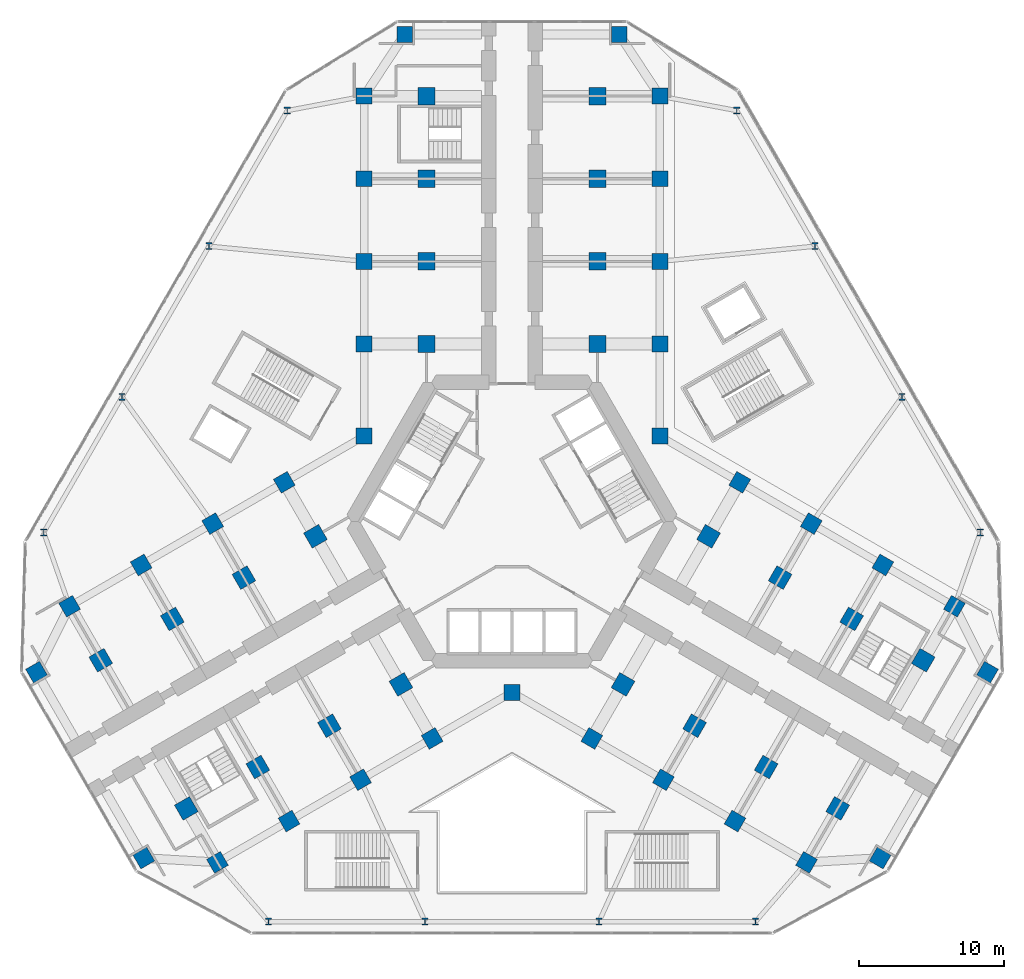
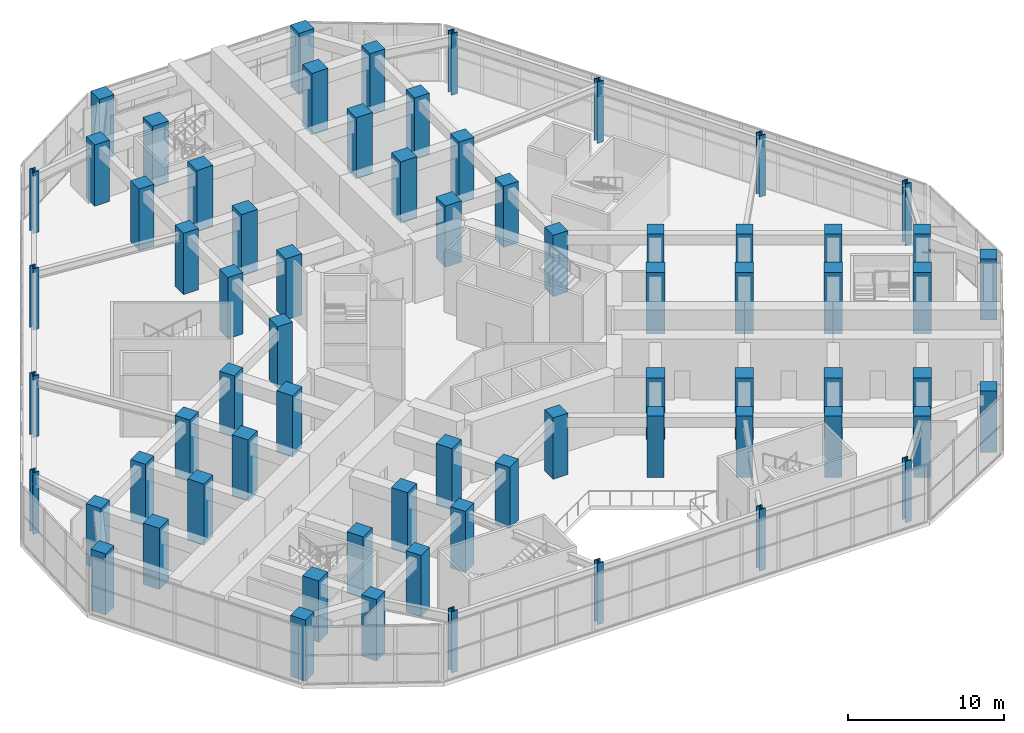
# One storey, part 1 of 21: 69 columns.
"""IFC4 building model written with IfcOpenShell, lengths in metres."""

from ifc_helpers import new_model, si_unit, direction, frame, origin, origin_2d, place, context, subcontext, project, spatial, rectangle, i_section, extrude, material, material_profile, profile_set, type_object, element, save


model = new_model("IFC4")

# Units and contexts
model_context = context("Model", 3, precision=1e-05, world=origin(), true_north=direction((0.0, 1.0)))
body_context = subcontext(model_context, "Body", "Model", "MODEL_VIEW")
ifc_project = project(units=[si_unit("LENGTHUNIT", "METRE"), si_unit("AREAUNIT", "SQUARE_METRE"), si_unit("VOLUMEUNIT", "CUBIC_METRE"), si_unit("PLANEANGLEUNIT", "RADIAN"), si_unit("MASSUNIT", "GRAM", prefix="KILO")], contexts=[model_context])

# Site, building, storey
site_placement = place(None, origin())
site = spatial("IfcSite", under=ifc_project, at=site_placement, CompositionType="ELEMENT")
building_placement = place(site_placement, origin())
building = spatial("IfcBuilding", under=site, at=building_placement, Name="Kosmar Iwan School Tower", CompositionType="ELEMENT")
storey_placement = place(building_placement, frame((0.0, 0.0, 6.0)))
storey = spatial("IfcBuildingStorey", under=building, at=storey_placement, Name="L01", CompositionType="ELEMENT", Elevation=6.0)

# Columns
ifc_material_1 = material(Name="Concrete C50/60", Category="concrete")
ifc_material_profile_1 = material_profile(ifc_material_1, rectangle(XDim=1.10009765625, YDim=1.10009765625, at=origin_2d()), Name="RC 1100x1100 + HD 400x744")
ifc_profile_set_1 = profile_set([ifc_material_profile_1], Name="Concrete C50/60")
column_type_1 = type_object("IfcColumnType", Name="Composite column 1100x1100 HD 400x744", PredefinedType="COLUMN", material=ifc_profile_set_1)
for number, where, z_axis, x_axis, name in (
    (1, (-10.199951171875, 12.25, 0.0), (0.0, 0.0, 1.0), (0.0, 1.0, 0.0), "Column AL1 L01"),
    (2, (-10.199951171875, 17.949951171875, 0.0), (0.0, 0.0, 1.0), (0.0, 1.0, 0.0), "Column AL2 L01"),
    (3, (-10.199951171875, 23.64990234375, 0.0), (0.0, 0.0, 1.0), (0.0, 1.0, 0.0), "Column AL3 L01"),
    (4, (-10.199951171875, 29.35009765625, 0.0), (0.0, 0.0, 1.0), (0.0, 1.0, 0.0), "Column AL4 L01"),
    (5, (-7.39990234375, 33.60009765625, 0.0), (0.0, 0.0, 1.0), (0.0, 1.0, 0.0), "Column ALTIP L01"),
    (6, (10.199951171875, 12.25, 0.0), (0.0, 0.0, 1.0), (0.0, 1.0, 0.0), "Column AR1 L01"),
    (7, (10.199951171875, 17.949951171875, 0.0), (0.0, 0.0, 1.0), (0.0, 1.0, 0.0), "Column AR2 L01"),
    (8, (10.199951171875, 23.64990234375, 0.0), (0.0, 0.0, 1.0), (0.0, 1.0, 0.0), "Column AR3 L01"),
    (9, (10.199951171875, 29.35009765625, 0.0), (0.0, 0.0, 1.0), (0.0, 1.0, 0.0), "Column AR4 L01"),
    (10, (7.39990234375, 33.60009765625, 0.0), (0.0, 0.0, 1.0), (0.0, 1.0, 0.0), "Column ARTIP L01"),
    (11, (-5.5087890625, -14.95849609375, 0.0), (0.0, 0.0, 1.0), (-0.866025403784, -0.5, 0.0), "Column BL1 L01"),
    (12, (-10.445068359375, -17.808349609375, 0.0), (0.0, 0.0, 1.0), (-0.866025403784, -0.5, 0.0), "Column BL2 L01"),
    (13, (-15.381591796875, -20.658447265625, 0.0), (0.0, 0.0, 1.0), (-0.866025403784, -0.5, 0.0), "Column BL3 L01"),
    (14, (-20.31787109375, -23.508544921875, 0.0), (0.0, 0.0, 1.0), (-0.866025403784, -0.5, 0.0), "Column BL4 L01"),
    (15, (-25.3984375, -23.20849609375, 0.0), (0.0, 0.0, 1.0), (-0.866025403784, -0.5, 0.0), "Column BLTIP L01"),
    (16, (-15.708740234375, 2.70849609375, 0.0), (0.0, 0.0, 1.0), (-0.866025403784, -0.5, 0.0), "Column BR1 L01"),
    (17, (-20.645263671875, -0.1416015625, 0.0), (0.0, 0.0, 1.0), (-0.866025403784, -0.5, 0.0), "Column BR2 L01"),
    (18, (-25.58154296875, -2.991455078125, 0.0), (0.0, 0.0, 1.0), (-0.866025403784, -0.5, 0.0), "Column BR3 L01"),
    (19, (-30.517822265625, -5.841552734375, 0.0), (0.0, 0.0, 1.0), (-0.866025403784, -0.5, 0.0), "Column BR4 L01"),
    (20, (-32.79833984375, -10.391357421875, 0.0), (0.0, 0.0, 1.0), (-0.866025403784, -0.5, 0.0), "Column BRTIP L01"),
    (21, (15.708740234375, 2.70849609375, 0.0), (0.0, 0.0, 1.0), (0.866025403784, -0.5, 0.0), "Column CL1 L01"),
    (22, (20.645263671875, -0.1416015625, 0.0), (0.0, 0.0, 1.0), (0.866025403784, -0.5, 0.0), "Column CL2 L01"),
    (23, (25.58154296875, -2.991455078125, 0.0), (0.0, 0.0, 1.0), (0.866025403784, -0.5, 0.0), "Column CL3 L01"),
    (24, (30.517822265625, -5.841552734375, 0.0), (0.0, 0.0, 1.0), (0.866025403784, -0.5, 0.0), "Column CL4 L01"),
    (25, (32.79833984375, -10.391357421875, 0.0), (0.0, 0.0, 1.0), (0.866025403784, -0.5, 0.0), "Column CLTIP L01"),
    (26, (5.5087890625, -14.95849609375, 0.0), (0.0, 0.0, 1.0), (0.866025403784, -0.5, 0.0), "Column CR1 L01"),
    (27, (10.445068359375, -17.808349609375, 0.0), (0.0, 0.0, 1.0), (0.866025403784, -0.5, 0.0), "Column CR2 L01"),
    (28, (15.381591796875, -20.658447265625, 0.0), (0.0, 0.0, 1.0), (0.866025403784, -0.5, 0.0), "Column CR3 L01"),
    (29, (20.31787109375, -23.508544921875, 0.0), (0.0, 0.0, 1.0), (0.866025403784, -0.5, 0.0), "Column CR4 L01"),
    (30, (25.3984375, -23.20849609375, 0.0), (0.0, 0.0, 1.0), (0.866025403784, -0.5, 0.0), "Column CRTIP L01"),
    (31, (-10.199951171875, 5.888916015625, 0.0), (0.0, 0.0, 1.0), (1.0, 0.0, 0.0), "Column RAB L01"),
    (32, (10.199951171875, 5.888916015625, 0.0), (0.0, 0.0, 1.0), (1.0, 0.0, 0.0), "Column RAC L01"),
    (33, (0.0, -11.77783203125, 0.0), (0.0, 0.0, 1.0), (1.0, 0.0, 0.0), "Column RBC L01"),
):
    element("IfcColumn", number, at=place(storey_placement, frame(where, z_axis=z_axis, x_axis=x_axis)), inside=storey, type_object=column_type_1, Name=name, PredefinedType="COLUMN", context=body_context, shape_type="SweptSolid", body=[
        extrude(rectangle(XDim=1.10009765625, YDim=1.10009765625, at=origin_2d()), origin(), (0.0, 0.0, 1.0), 4.800048828125),
    ])
ifc_material_2 = material(Name="Concrete C50/60", Category="concrete")
ifc_material_profile_2 = material_profile(ifc_material_2, rectangle(XDim=1.199951171875, YDim=1.199951171875, at=origin_2d()), Name="RC 1200x1200")
ifc_profile_set_2 = profile_set([ifc_material_profile_2], Name="Concrete C50/60")
column_type_2 = type_object("IfcColumnType", Name="RC interior column 1200x1200", PredefinedType="COLUMN", material=ifc_profile_set_2)
for number, where, z_axis, x_axis, name in (
    (34, (-5.89990234375, 12.25, 0.0), (0.0, 0.0, 1.0), (0.0, 1.0, 0.0), "Interior column ALI1 L01"),
    (35, (-5.89990234375, 17.949951171875, 0.0), (0.0, 0.0, 1.0), (0.0, 1.0, 0.0), "Interior column ALI2 L01"),
    (36, (-5.89990234375, 23.64990234375, 0.0), (0.0, 0.0, 1.0), (0.0, 1.0, 0.0), "Interior column ALI3 L01"),
    (37, (-5.89990234375, 29.35009765625, 0.0), (0.0, 0.0, 1.0), (0.0, 1.0, 0.0), "Interior column ALI4 L01"),
    (38, (5.89990234375, 12.25, 0.0), (0.0, 0.0, 1.0), (0.0, 1.0, 0.0), "Interior column ARI1 L01"),
    (39, (5.89990234375, 17.949951171875, 0.0), (0.0, 0.0, 1.0), (0.0, 1.0, 0.0), "Interior column ARI2 L01"),
    (40, (5.89990234375, 23.64990234375, 0.0), (0.0, 0.0, 1.0), (0.0, 1.0, 0.0), "Interior column ARI3 L01"),
    (41, (5.89990234375, 29.35009765625, 0.0), (0.0, 0.0, 1.0), (0.0, 1.0, 0.0), "Interior column ARI4 L01"),
    (42, (-7.65869140625, -11.234619140625, 0.0), (0.0, 0.0, 1.0), (-0.866025403784, -0.5, 0.0), "Interior column BLI1 L01"),
    (43, (-12.59521484375, -14.08447265625, 0.0), (0.0, 0.0, 1.0), (-0.866025403784, -0.5, 0.0), "Interior column BLI2 L01"),
    (44, (-17.531494140625, -16.9345703125, 0.0), (0.0, 0.0, 1.0), (-0.866025403784, -0.5, 0.0), "Interior column BLI3 L01"),
    (45, (-22.4677734375, -19.78466796875, 0.0), (0.0, 0.0, 1.0), (-0.866025403784, -0.5, 0.0), "Interior column BLI4 L01"),
    (46, (-13.558837890625, -1.015380859375, 0.0), (0.0, 0.0, 1.0), (-0.866025403784, -0.5, 0.0), "Interior column BRI1 L01"),
    (47, (-18.4951171875, -3.865478515625, 0.0), (0.0, 0.0, 1.0), (-0.866025403784, -0.5, 0.0), "Interior column BRI2 L01"),
    (48, (-23.431396484375, -6.71533203125, 0.0), (0.0, 0.0, 1.0), (-0.866025403784, -0.5, 0.0), "Interior column BRI3 L01"),
    (49, (-28.367919921875, -9.5654296875, 0.0), (0.0, 0.0, 1.0), (-0.866025403784, -0.5, 0.0), "Interior column BRI4 L01"),
    (50, (13.558837890625, -1.015380859375, 0.0), (0.0, 0.0, 1.0), (0.866025403784, -0.5, 0.0), "Interior column CLI1 L01"),
    (51, (18.4951171875, -3.865478515625, 0.0), (0.0, 0.0, 1.0), (0.866025403784, -0.5, 0.0), "Interior column CLI2 L01"),
    (52, (23.431396484375, -6.71533203125, 0.0), (0.0, 0.0, 1.0), (0.866025403784, -0.5, 0.0), "Interior column CLI3 L01"),
    (53, (28.367919921875, -9.5654296875, 0.0), (0.0, 0.0, 1.0), (0.866025403784, -0.5, 0.0), "Interior column CLI4 L01"),
    (54, (7.65869140625, -11.234619140625, 0.0), (0.0, 0.0, 1.0), (0.866025403784, -0.5, 0.0), "Interior column CRI1 L01"),
    (55, (12.59521484375, -14.08447265625, 0.0), (0.0, 0.0, 1.0), (0.866025403784, -0.5, 0.0), "Interior column CRI2 L01"),
    (56, (17.531494140625, -16.9345703125, 0.0), (0.0, 0.0, 1.0), (0.866025403784, -0.5, 0.0), "Interior column CRI3 L01"),
    (57, (22.4677734375, -19.78466796875, 0.0), (0.0, 0.0, 1.0), (0.866025403784, -0.5, 0.0), "Interior column CRI4 L01"),
):
    element("IfcColumn", number, at=place(storey_placement, frame(where, z_axis=z_axis, x_axis=x_axis)), inside=storey, type_object=column_type_2, Name=name, PredefinedType="COLUMN", context=body_context, shape_type="SweptSolid", body=[
        extrude(rectangle(XDim=1.199951171875, YDim=1.199951171875, at=origin_2d()), origin(), (0.0, 0.0, 1.0), 4.800048828125),
    ])
ifc_material_3 = material(Name="Steel S355", Category="steel")
ifc_material_profile_3 = material_profile(ifc_material_3, i_section(OverallWidth=0.427978515625, OverallDepth=0.48291015625, WebThickness=0.05126953125, FlangeThickness=0.08154296875, FilletRadius=0.014892578125, at=origin_2d()), Name="HD 400x677")
ifc_profile_set_3 = profile_set([ifc_material_profile_3], Name="Steel S355")
column_type_3 = type_object("IfcColumnType", Name="Steel column HD 400x677", PredefinedType="COLUMN", material=ifc_profile_set_3)
for number, where, z_axis, x_axis, name in (
    (58, (-32.30224609375, -0.749267578125, 0.0), (0.0, 0.0, 1.0), (1.0, 0.0, 0.0), "Infill column AB1"),
    (59, (-26.90234375, 8.603759765625, 0.0), (0.0, 0.0, 1.0), (1.0, 0.0, 0.0), "Infill column AB2"),
    (60, (-20.90234375, 18.99609375, 0.0), (0.0, 0.0, 1.0), (1.0, 0.0, 0.0), "Infill column AB3"),
    (61, (-15.502197265625, 28.34912109375, 0.0), (0.0, 0.0, 1.0), (1.0, 0.0, 0.0), "Infill column AB4"),
    (62, (15.502197265625, 28.34912109375, 0.0), (0.0, 0.0, 1.0), (1.0, 0.0, 0.0), "Infill column AC1"),
    (63, (20.90234375, 18.99609375, 0.0), (0.0, 0.0, 1.0), (1.0, 0.0, 0.0), "Infill column AC2"),
    (64, (26.90234375, 8.603759765625, 0.0), (0.0, 0.0, 1.0), (1.0, 0.0, 0.0), "Infill column AC3"),
    (65, (32.30224609375, -0.749267578125, 0.0), (0.0, 0.0, 1.0), (1.0, 0.0, 0.0), "Infill column AC4"),
    (66, (16.800048828125, -27.60009765625, 0.0), (0.0, 0.0, 1.0), (1.0, 0.0, 0.0), "Infill column BC1"),
    (67, (6.0, -27.60009765625, 0.0), (0.0, 0.0, 1.0), (1.0, 0.0, 0.0), "Infill column BC2"),
    (68, (-6.0, -27.60009765625, 0.0), (0.0, 0.0, 1.0), (1.0, 0.0, 0.0), "Infill column BC3"),
    (69, (-16.800048828125, -27.60009765625, 0.0), (0.0, 0.0, 1.0), (1.0, 0.0, 0.0), "Infill column BC4"),
):
    element("IfcColumn", number, at=place(storey_placement, frame(where, z_axis=z_axis, x_axis=x_axis)), inside=storey, type_object=column_type_3, Name=name, PredefinedType="COLUMN", context=body_context, shape_type="SweptSolid", body=[
        extrude(i_section(OverallWidth=0.427978515625, OverallDepth=0.48291015625, WebThickness=0.05126953125, FlangeThickness=0.08154296875, FilletRadius=0.014892578125, at=origin_2d()), origin(), (0.0, 0.0, 1.0), 4.800048828125),
    ])

save(model, "model.ifc")
